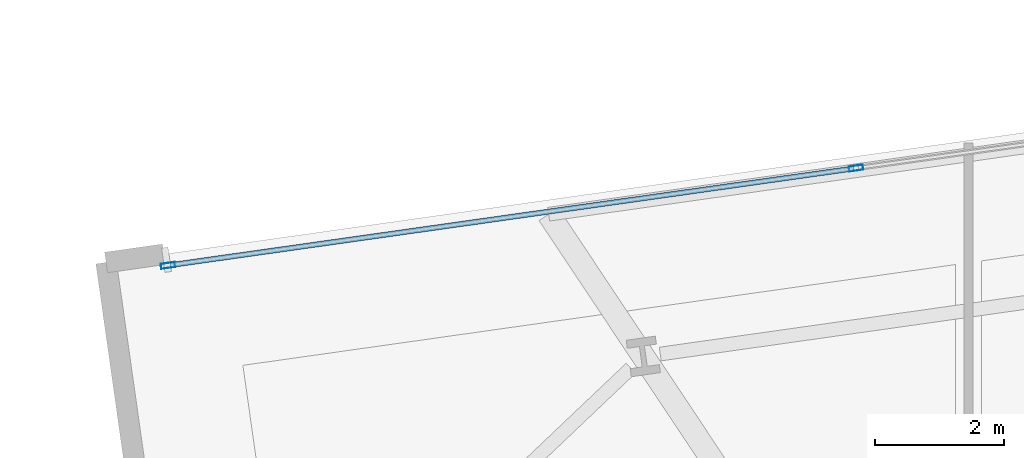
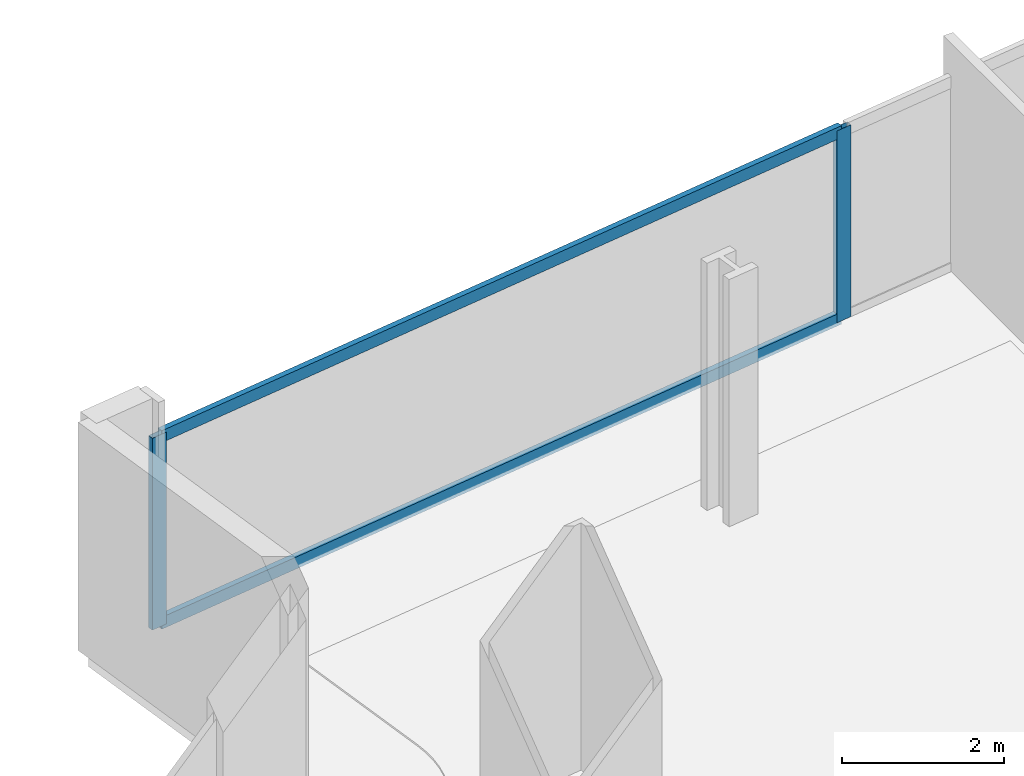
# One storey, part 18 of 33: 4 members, 1 element without a shape of its own.
"""IFC4 building model written with IfcOpenShell, lengths in metres."""

from ifc_helpers import new_model, si_unit, direction, frame, origin, origin_2d, place, context, subcontext, project, spatial, hollow_rectangle, extrude, material, material_profile, profile_set, type_object, element, aggregate, save


model = new_model("IFC4")

# Units and contexts
model_context = context("Model", 3, precision=1e-05, world=origin(), true_north=direction((0.0, 1.0)))
body_context = subcontext(model_context, "Body", "Model", "MODEL_VIEW")
ifc_project = project(units=[si_unit("LENGTHUNIT", "METRE"), si_unit("AREAUNIT", "SQUARE_METRE"), si_unit("VOLUMEUNIT", "CUBIC_METRE"), si_unit("PLANEANGLEUNIT", "RADIAN"), si_unit("MASSUNIT", "GRAM", prefix="KILO")], contexts=[model_context])

# Site, building, storey
site_placement = place(None, origin())
site = spatial("IfcSite", under=ifc_project, at=site_placement, CompositionType="ELEMENT")
building_placement = place(site_placement, origin())
building = spatial("IfcBuilding", under=site, at=building_placement, Name="Haldenkirk Collegiate Tower", CompositionType="ELEMENT")
storey_placement = place(building_placement, frame((0.0, 0.0, 55.199951171875)))
storey = spatial("IfcBuildingStorey", under=building, at=storey_placement, Name="L12", CompositionType="ELEMENT", Elevation=55.199951171875)

# Curtain wall, members
ifc_material = material(Name="Anodised architectural bronze aluminium", Category="aluminium")
curtain_wall_type = type_object("IfcCurtainWallType", Name="CW-SYS1-CONVEX-LOW", PredefinedType="USERDEFINED", material=ifc_material)
curtain_wall_placement = place(storey_placement, origin())
curtain_wall = element("IfcCurtainWall", 1, at=curtain_wall_placement, inside=storey, type_object=curtain_wall_type, Name="L12 Lower tower convex bronze-framed unitised curtain wall", ObjectType="UNITISED CURTAIN WALL", PredefinedType="USERDEFINED")
ifc_material_profile_1 = material_profile(ifc_material, hollow_rectangle(XDim=0.080078125, YDim=0.219970703125, WallThickness=0.0048828125, at=origin_2d()), Name="CW-MUL-1A")
ifc_profile_set_1 = profile_set([ifc_material_profile_1], Name="Anodised architectural bronze aluminium")
member_type_1 = type_object("IfcMemberType", Name="CW-MUL-1A", PredefinedType="MULLION", material=ifc_profile_set_1)
member_1_placement = place(storey_placement, frame((11.13525390625, 48.206787109375, 0.0), z_axis=(0.0, 0.0, 1.0), x_axis=(-0.140039409054, 0.990145930614, 0.0)))
member_1 = element("IfcMember", 2, at=member_1_placement, type_object=member_type_1, Name="CW-1A mullion 1", PredefinedType="MULLION", context=body_context, shape_type="SweptSolid", body=[
    extrude(hollow_rectangle(XDim=0.080078125, YDim=0.219970703125, WallThickness=0.0048828125, at=origin_2d()), origin(), (0.0, 0.0, 1.0), 2.89111328125),
])
member_2_placement = place(storey_placement, frame((21.764404296875, 49.710205078125, 0.0), z_axis=(0.0, 0.0, 1.0), x_axis=(-0.140039409054, 0.990145930614, 0.0)))
member_2 = element("IfcMember", 3, at=member_2_placement, type_object=member_type_1, Name="CW-1A mullion 2", PredefinedType="MULLION", context=body_context, shape_type="SweptSolid", body=[
    extrude(hollow_rectangle(XDim=0.080078125, YDim=0.219970703125, WallThickness=0.0048828125, at=origin_2d()), origin(), (0.0, 0.0, 1.0), 2.89111328125),
])
ifc_material_profile_2 = material_profile(ifc_material, hollow_rectangle(XDim=0.080078125, YDim=0.179931640625, WallThickness=0.0048828125, at=origin_2d()), Name="CW-TRN-1A")
ifc_profile_set_2 = profile_set([ifc_material_profile_2], Name="Anodised architectural bronze aluminium")
member_type_2 = type_object("IfcMemberType", Name="CW-TRN-1A", PredefinedType="USERDEFINED", material=ifc_profile_set_2)
member_3_placement = place(storey_placement, frame((11.1748046875, 48.21240234375, 0.0400390625), z_axis=(0.9901451318, 0.14004505694, 0.0), x_axis=(-0.14004505694, 0.9901451318, 0.0)))
member_3 = element("IfcMember", 4, at=member_3_placement, type_object=member_type_2, Name="CW-1A transom 1.1", ObjectType="TRANSOM", PredefinedType="USERDEFINED", context=body_context, shape_type="SweptSolid", body=[
    extrude(hollow_rectangle(XDim=0.080078125, YDim=0.179931640625, WallThickness=0.0048828125, at=origin_2d()), origin(), (0.0, 0.0, 1.0), 10.655029296875),
])
member_4_placement = place(storey_placement, frame((11.1748046875, 48.21240234375, 2.85107421875), z_axis=(0.9901451318, 0.14004505694, 0.0), x_axis=(-0.14004505694, 0.9901451318, 0.0)))
member_4 = element("IfcMember", 5, at=member_4_placement, type_object=member_type_2, Name="CW-1A transom 1.2", ObjectType="TRANSOM", PredefinedType="USERDEFINED", context=body_context, shape_type="SweptSolid", body=[
    extrude(hollow_rectangle(XDim=0.080078125, YDim=0.179931640625, WallThickness=0.0048828125, at=origin_2d()), origin(), (0.0, 0.0, 1.0), 10.655029296875),
])
aggregate(curtain_wall, [member_1, member_2, member_3, member_4])

save(model, "model.ifc")
